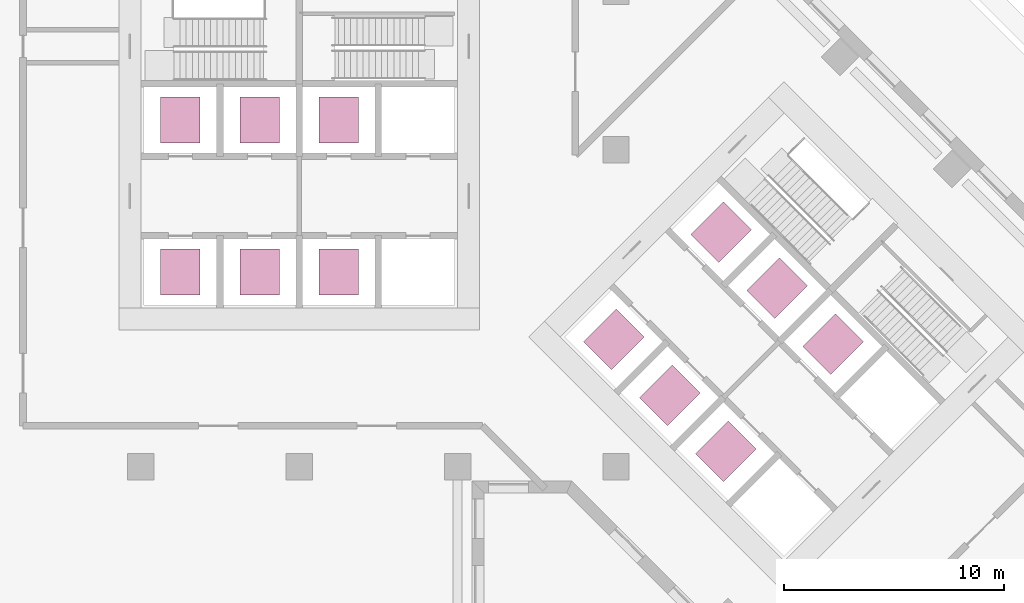
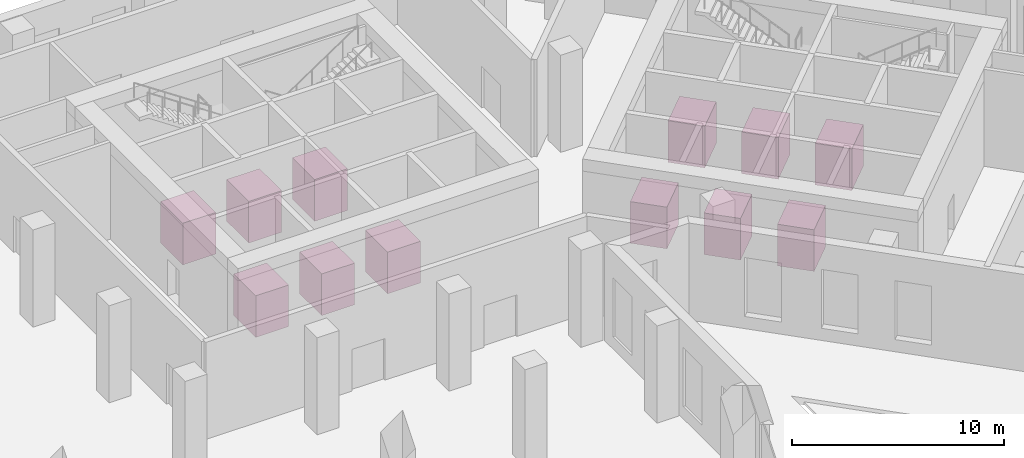
# One storey, part 15 of 15: 12 transport elements.
"""IFC4 building model written with IfcOpenShell, lengths in metres."""

from ifc_helpers import new_model, si_unit, direction, frame, origin, origin_2d, place, context, subcontext, project, spatial, rectangle, extrude, material, type_object, element, save


model = new_model("IFC4")

# Units and contexts
model_context = context("Model", 3, precision=1e-05, world=origin(), true_north=direction((0.0, 1.0)))
body_context = subcontext(model_context, "Body", "Model", "MODEL_VIEW")
ifc_project = project(units=[si_unit("LENGTHUNIT", "METRE"), si_unit("AREAUNIT", "SQUARE_METRE"), si_unit("VOLUMEUNIT", "CUBIC_METRE"), si_unit("PLANEANGLEUNIT", "RADIAN"), si_unit("MASSUNIT", "GRAM", prefix="KILO")], contexts=[model_context])

# Site, building, storey
site_placement = place(None, origin())
site = spatial("IfcSite", under=ifc_project, at=site_placement, CompositionType="ELEMENT")
building_placement = place(site_placement, origin())
building = spatial("IfcBuilding", under=site, at=building_placement, Name="Windrow Commons", CompositionType="ELEMENT")
storey_placement = place(building_placement, origin())
storey = spatial("IfcBuildingStorey", under=building, at=storey_placement, Name="L00", CompositionType="ELEMENT", Elevation=0.0)

# Transport elements
ifc_material = material(Name="Stainless steel car", Category="steel")
transport_element_type = type_object("IfcTransportElementType", Name="Lift car passenger 1600", PredefinedType="ELEVATOR", material=ifc_material)
for number, where, z_axis, x_axis, name in (
    (1, (59.4, 52.05, 0.0), (0.0, 0.0, 1.0), (1.0, 0.0, 0.0), "Passenger lift LP-L1"),
    (2, (63.0, 52.05, 0.0), (0.0, 0.0, 1.0), (1.0, 0.0, 0.0), "Passenger lift LP-L2"),
    (3, (66.6, 52.05, 0.0), (0.0, 0.0, 1.0), (1.0, 0.0, 0.0), "Passenger lift LP-L3"),
    (4, (59.4, 58.95, 0.0), (0.0, 0.0, 1.0), (1.0, 0.0, 0.0), "Passenger lift LP-H1"),
    (5, (63.0, 58.95, 0.0), (0.0, 0.0, 1.0), (1.0, 0.0, 0.0), "Passenger lift LP-H2"),
    (6, (66.6, 58.95, 0.0), (0.0, 0.0, 1.0), (1.0, 0.0, 0.0), "Passenger lift LP-M1"),
    (7, (79.0939, 48.9837, 0.0), (0.0, 0.0, 1.0), (0.7071067812, -0.7071067812, 0.0), "Passenger lift LP-L4"),
    (8, (81.6395, 46.4381, 0.0), (0.0, 0.0, 1.0), (0.7071067812, -0.7071067812, 0.0), "Passenger lift LP-L5"),
    (9, (84.1851, 43.8925, 0.0), (0.0, 0.0, 1.0), (0.7071067812, -0.7071067812, 0.0), "Passenger lift LP-L6"),
    (10, (83.973, 53.8627, 0.0), (0.0, 0.0, 1.0), (0.7071067812, -0.7071067812, 0.0), "Passenger lift LP-H3"),
    (11, (86.5186, 51.3171, 0.0), (0.0, 0.0, 1.0), (0.7071067812, -0.7071067812, 0.0), "Passenger lift LP-H4"),
    (12, (89.0641, 48.7715, 0.0), (0.0, 0.0, 1.0), (0.7071067812, -0.7071067812, 0.0), "Passenger lift LP-M2"),
):
    element("IfcTransportElement", number, at=place(storey_placement, frame(where, z_axis=z_axis, x_axis=x_axis)), inside=storey, type_object=transport_element_type, Name=name, PredefinedType="ELEVATOR", context=body_context, shape_type="SweptSolid", body=[
        extrude(rectangle(XDim=1.8, YDim=2.1, at=origin_2d()), origin(), (0.0, 0.0, 1.0), 2.4),
    ])

save(model, "model.ifc")
